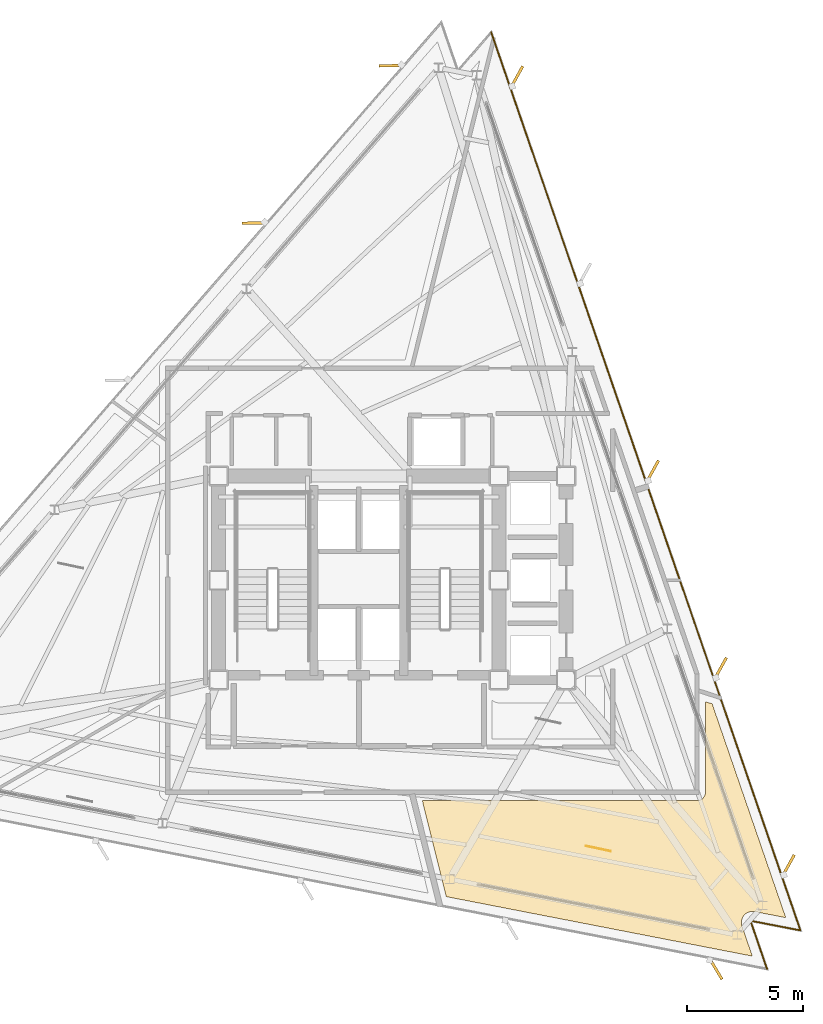
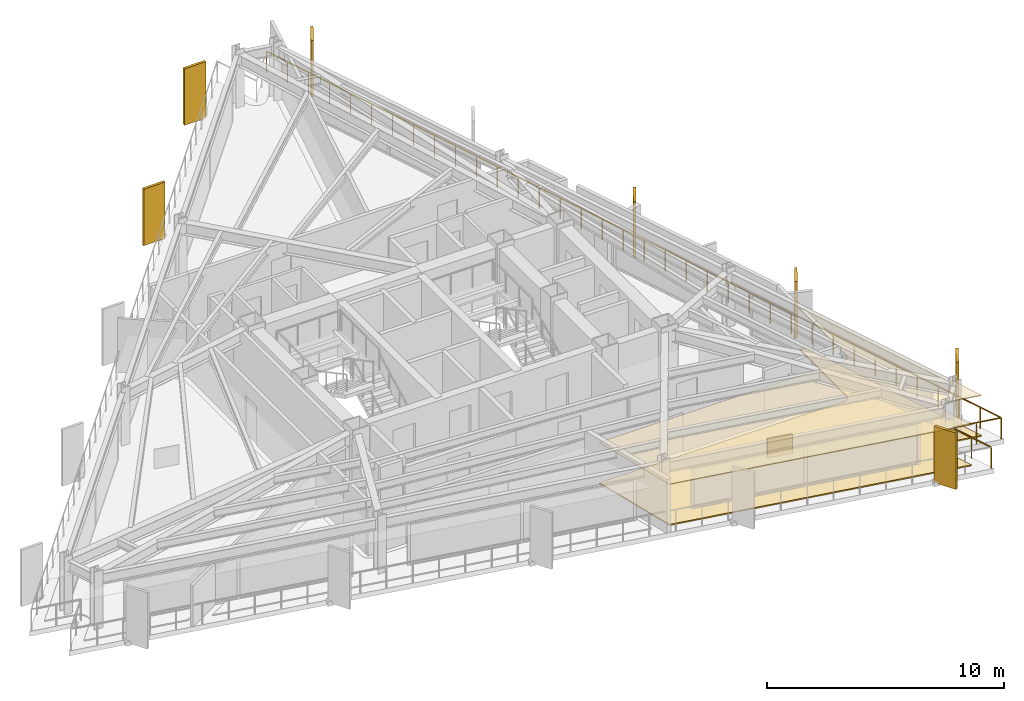
# One storey, part 13 of 13: 7 shading devices, 3 coverings, 1 railing.
"""IFC4 building model written with IfcOpenShell, lengths in metres."""

from ifc_helpers import new_model, si_unit, direction, frame, origin, origin_2d, place, context, subcontext, project, spatial, polyline, rectangle, outline, extrude, material, layer, layer_set, type_object, element, save


model = new_model("IFC4")

# Units and contexts
model_context = context("Model", 3, precision=1e-05, world=origin(), true_north=direction((0.0, 1.0)))
body_context = subcontext(model_context, "Body", "Model", "MODEL_VIEW")
ifc_project = project(units=[si_unit("LENGTHUNIT", "METRE"), si_unit("AREAUNIT", "SQUARE_METRE"), si_unit("VOLUMEUNIT", "CUBIC_METRE"), si_unit("PLANEANGLEUNIT", "RADIAN"), si_unit("MASSUNIT", "GRAM", prefix="KILO")], contexts=[model_context])

# Site, building, storey
site_placement = place(None, origin())
site = spatial("IfcSite", under=ifc_project, at=site_placement, CompositionType="ELEMENT")
building_placement = place(site_placement, origin())
building = spatial("IfcBuilding", under=site, at=building_placement, Name="Rocaltana Carrier Exchange", CompositionType="ELEMENT")
storey_placement = place(building_placement, frame((0.0, 0.0, 150.239990234375)))
storey = spatial("IfcBuildingStorey", under=building, at=storey_placement, Name="L47", CompositionType="ELEMENT", Elevation=150.239990234375)

# Coverings
ifc_material_1 = material(Name="Calcium Sulphate & Aluminium Pedestal", Category="aluminium")
ifc_layer_1 = layer(ifc_material_1, 0.06005859375)
ifc_layer_set_1 = layer_set([ifc_layer_1], Name="Calcium Sulphate & Aluminium Pedestal")
covering_type_1 = type_object("IfcCoveringType", Name="Anti-Static Raised Exchange Access Floor 60", PredefinedType="FLOORING", material=ifc_layer_set_1)
covering_1_placement = place(storey_placement, origin())
element("IfcCovering", 1, at=covering_1_placement, inside=storey, type_object=covering_type_1, Name="L47 Cloud Architecture Office Finish Floor", PredefinedType="FLOORING", context=body_context, shape_type="SweptSolid", body=[
    extrude(outline(polyline([(18.4287109375, -14.562255859375), (17.085205078125, -14.301025390625), (17.0712890625, -14.298828125), (17.051513671875, -14.2958984375), (17.023681640625, -14.29345703125), (17.00390625, -14.29248046875), (16.975830078125, -14.292724609375), (16.9560546875, -14.2939453125), (16.92822265625, -14.296875), (16.90869140625, -14.300048828125), (16.88134765625, -14.305908203125), (16.862060546875, -14.310791015625), (16.83544921875, -14.319091796875), (16.816650390625, -14.326171875), (16.791015625, -14.337158203125), (16.773193359375, -14.345947265625), (16.748779296875, -14.359619140625), (16.731689453125, -14.3701171875), (16.708984375, -14.385986328125), (16.693115234375, -14.398193359375), (16.671875, -14.416259765625), (16.6572265625, -14.429931640625), (16.637939453125, -14.449951171875), (16.625, -14.465087890625), (16.607666015625, -14.487060546875), (16.59619140625, -14.50341796875), (16.581298828125, -14.52685546875), (16.5712890625, -14.544189453125), (16.558837890625, -14.569091796875), (16.55078125, -14.58740234375), (16.540771484375, -14.613525390625), (16.534423828125, -14.63232421875), (16.527099609375, -14.6591796875), (16.522705078125, -14.6787109375), (16.518310546875, -14.706298828125), (16.515869140625, -14.72607421875), (16.513916015625, -14.75390625), (16.513671875, -14.77392578125), (16.5146484375, -14.8017578125), (16.51611328125, -14.82177734375), (16.52001953125, -14.849365234375), (16.5234375, -14.868896484375), (16.52978515625, -14.89599609375), (16.535400390625, -14.915283203125), (16.539794921875, -14.9287109375), (16.9853515625, -16.22265625), (3.775634765625, -13.65478515625), (2.7421875, -9.510009765625), (14.60009765625, -9.510009765625), (14.61376953125, -9.509765625), (14.62158203125, -9.50927734375), (14.64892578125, -9.506591796875), (14.65673828125, -9.50537109375), (14.68359375, -9.5), (14.69140625, -9.498291015625), (14.717529296875, -9.490234375), (14.724853515625, -9.487548828125), (14.750244140625, -9.47705078125), (14.75732421875, -9.4736328125), (14.78173828125, -9.460693359375), (14.788330078125, -9.456787109375), (14.811279296875, -9.44140625), (14.8173828125, -9.436767578125), (14.8388671875, -9.419189453125), (14.844482421875, -9.4140625), (14.864013671875, -9.39453125), (14.869384765625, -9.388916015625), (14.88671875, -9.367431640625), (14.891357421875, -9.361083984375), (14.90673828125, -9.33837890625), (14.91064453125, -9.331787109375), (14.923583984375, -9.307373046875), (14.927001953125, -9.30029296875), (14.9375, -9.27490234375), (14.940185546875, -9.267578125), (14.9482421875, -9.2412109375), (14.9501953125, -9.233642578125), (14.955322265625, -9.206787109375), (14.95654296875, -9.198974609375), (14.959228515625, -9.171630859375), (14.959716796875, -9.163818359375), (14.9599609375, -9.14990234375), (14.9599609375, -5.2392578125), (15.2509765625, -5.333984375), (18.4287109375, -14.562255859375)])), origin(), (0.0, 0.0, 1.0), 0.06005859375),
])
ifc_material_2 = material(Name="Mineral Fibre & Powder-Coated Aluminium", Category="aluminium")
ifc_layer_2 = layer(ifc_material_2, 0.044921875)
ifc_layer_set_2 = layer_set([ifc_layer_2], Name="Mineral Fibre & Powder-Coated Aluminium")
covering_type_2 = type_object("IfcCoveringType", Name="Micro-Perforated Acoustic Ceiling 45", PredefinedType="CEILING", material=ifc_layer_set_2)
covering_2_placement = place(storey_placement, frame((0.0, 0.0, 2.093017578125)))
element("IfcCovering", 2, at=covering_2_placement, inside=storey, type_object=covering_type_2, Name="L47 Cloud Architecture Office Acoustic Ceiling", PredefinedType="CEILING", context=body_context, shape_type="SweptSolid", body=[
    extrude(outline(polyline([(18.4287109375, -14.562255859375), (17.085205078125, -14.301025390625), (17.0712890625, -14.298828125), (17.051513671875, -14.2958984375), (17.023681640625, -14.29345703125), (17.00390625, -14.29248046875), (16.975830078125, -14.292724609375), (16.9560546875, -14.2939453125), (16.92822265625, -14.296875), (16.90869140625, -14.300048828125), (16.88134765625, -14.305908203125), (16.862060546875, -14.310791015625), (16.83544921875, -14.319091796875), (16.816650390625, -14.326171875), (16.791015625, -14.337158203125), (16.773193359375, -14.345947265625), (16.748779296875, -14.359619140625), (16.731689453125, -14.3701171875), (16.708984375, -14.385986328125), (16.693115234375, -14.398193359375), (16.671875, -14.416259765625), (16.6572265625, -14.429931640625), (16.637939453125, -14.449951171875), (16.625, -14.465087890625), (16.607666015625, -14.487060546875), (16.59619140625, -14.50341796875), (16.581298828125, -14.52685546875), (16.5712890625, -14.544189453125), (16.558837890625, -14.569091796875), (16.55078125, -14.58740234375), (16.540771484375, -14.613525390625), (16.534423828125, -14.63232421875), (16.527099609375, -14.6591796875), (16.522705078125, -14.6787109375), (16.518310546875, -14.706298828125), (16.515869140625, -14.72607421875), (16.513916015625, -14.75390625), (16.513671875, -14.77392578125), (16.5146484375, -14.8017578125), (16.51611328125, -14.82177734375), (16.52001953125, -14.849365234375), (16.5234375, -14.868896484375), (16.52978515625, -14.89599609375), (16.535400390625, -14.915283203125), (16.539794921875, -14.9287109375), (16.9853515625, -16.22265625), (3.775634765625, -13.65478515625), (2.7421875, -9.510009765625), (14.60009765625, -9.510009765625), (14.61376953125, -9.509765625), (14.62158203125, -9.50927734375), (14.64892578125, -9.506591796875), (14.65673828125, -9.50537109375), (14.68359375, -9.5), (14.69140625, -9.498291015625), (14.717529296875, -9.490234375), (14.724853515625, -9.487548828125), (14.750244140625, -9.47705078125), (14.75732421875, -9.4736328125), (14.78173828125, -9.460693359375), (14.788330078125, -9.456787109375), (14.811279296875, -9.44140625), (14.8173828125, -9.436767578125), (14.8388671875, -9.419189453125), (14.844482421875, -9.4140625), (14.864013671875, -9.39453125), (14.869384765625, -9.388916015625), (14.88671875, -9.367431640625), (14.891357421875, -9.361083984375), (14.90673828125, -9.33837890625), (14.91064453125, -9.331787109375), (14.923583984375, -9.307373046875), (14.927001953125, -9.30029296875), (14.9375, -9.27490234375), (14.940185546875, -9.267578125), (14.9482421875, -9.2412109375), (14.9501953125, -9.233642578125), (14.955322265625, -9.206787109375), (14.95654296875, -9.198974609375), (14.959228515625, -9.171630859375), (14.959716796875, -9.163818359375), (14.9599609375, -9.14990234375), (14.9599609375, -5.2392578125), (15.2509765625, -5.333984375), (18.4287109375, -14.562255859375)])), origin(), (0.0, 0.0, 1.0), 0.044921875),
])
ifc_material_3 = material(Name="Honed Piedra Muneca Sandstone", Category="masonry")
ifc_layer_3 = layer(ifc_material_3, 0.034912109375)
ifc_layer_set_3 = layer_set([ifc_layer_3], Name="Honed Piedra Muneca Sandstone")
covering_type_3 = type_object("IfcCoveringType", Name="Stone Facade Cladding 35", PredefinedType="CLADDING", material=ifc_layer_set_3)
covering_3_placement = place(storey_placement, frame((10.330810546875, -11.58251953125, 0.0), z_axis=(0.0, 0.0, 1.0), x_axis=(-0.978147600734, 0.207911690818, 0.0)))
element("IfcCovering", 3, at=covering_3_placement, inside=storey, type_object=covering_type_3, Name="L47 Stone Facade Cladding Panel 3", PredefinedType="CLADDING", context=body_context, shape_type="SweptSolid", body=[
    extrude(rectangle(XDim=1.10009765625, YDim=0.034912109375, at=origin_2d()), origin(), (0.0, 0.0, 1.0), 1.050048828125),
])

# Shading devices
ifc_material_4 = material(Name="Honed Bogota Sandstone & Concrete C45/55", Category="masonry")
ifc_layer_4 = layer(ifc_material_4, 0.1201171875)
ifc_layer_set_4 = layer_set([ifc_layer_4], Name="Honed Bogota Sandstone & Concrete C45/55")
shading_device_type = type_object("IfcShadingDeviceType", Name="Upper Sandstone Shading Fin 1050x120", PredefinedType="USERDEFINED", material=ifc_layer_set_4)
for number, where, z_axis, x_axis, name in (
    (4, (18.541748046875, -12.3095703125, -0.1201171875), (0.0, 0.0, 1.0), (0.484809620246, 0.874619707139, 0.0), "L47 Sandstone Vertical Fin F1-01"),
    (5, (15.61181640625, -3.7998046875, -0.1201171875), (0.0, 0.0, 1.0), (0.484809620246, 0.874619707139, 0.0), "L47 Sandstone Vertical Fin F1-02"),
    (6, (12.681396484375, 4.709716796875, -0.1201171875), (0.0, 0.0, 1.0), (0.484809620246, 0.874619707139, 0.0), "L47 Sandstone Vertical Fin F1-03"),
    (7, (6.8212890625, 21.729248046875, -0.1201171875), (0.0, 0.0, 1.0), (0.484809620246, 0.874619707139, 0.0), "L47 Sandstone Vertical Fin F1-05"),
    (8, (1.389404296875, 22.21240234375, -0.1201171875), (0.0, 0.0, 1.0), (-0.999847695156, -0.017452406437, 0.0), "L47 Sandstone Vertical Fin F2-01"),
    (9, (-4.51513671875, 15.419921875, -0.1201171875), (0.0, 0.0, 1.0), (-0.999847695156, -0.017452406437, 0.0), "L47 Sandstone Vertical Fin F2-02"),
    (10, (15.407470703125, -16.77197265625, -0.1201171875), (0.0, 0.0, 1.0), (0.51503807491, -0.857167300702, 0.0), "L47 Sandstone Vertical Fin F3-05"),
):
    element("IfcShadingDevice", number, at=place(storey_placement, frame(where, z_axis=z_axis, x_axis=x_axis)), inside=storey, type_object=shading_device_type, Name=name, ObjectType="FIN", PredefinedType="USERDEFINED", context=body_context, shape_type="SweptSolid", body=[
        extrude(rectangle(XDim=1.050048828125, YDim=0.1201171875, at=origin_2d()), origin(), (0.0, 0.0, 1.0), 2.907958984375),
    ])

# Railing
ifc_material_5 = material(Name="Powder-Coated Aluminium 6063-T6", Category="aluminium")
ifc_layer_5 = layer(ifc_material_5, 0.06005859375)
ifc_layer_set_5 = layer_set([ifc_layer_5], Name="Powder-Coated Aluminium 6063-T6")
railing_type = type_object("IfcRailingType", Name="Wind-Floor & Terrace Perimeter Guardrail 1100", PredefinedType="GUARDRAIL", material=ifc_layer_set_5)
railing_placement = place(storey_placement, frame((5.716796875, 23.6455078125, 0.0)))
element("IfcRailing", 11, at=railing_placement, inside=storey, type_object=railing_type, Name="L47 Perimeter Balcony Guardrail 3", PredefinedType="GUARDRAIL", context=body_context, shape_type="SweptSolid", body=[
    extrude(rectangle(XDim=0.048095703125, YDim=0.048095703125, at=origin_2d()), frame((0.0, 0.0, 1.076171875), z_axis=(0.325567757379, -0.945518712324, 0.0), x_axis=(0.945518712324, 0.325567757379, 0.0)), (0.0, 0.0, 1.0), 40.9921875),
    extrude(rectangle(XDim=0.048095703125, YDim=0.048095703125, at=origin_2d()), frame((13.345703125, -38.7587890625, 1.076171875), z_axis=(-0.981637329589, 0.190756790591, 0.0), x_axis=(-0.190756790591, -0.981637329589, 0.0)), (0.0, 0.0, 1.0), 2.199951171875),
    extrude(rectangle(XDim=0.048095703125, YDim=0.048095703125, at=origin_2d()), frame((11.18603515625, -38.339111328125, 1.076171875), z_axis=(0.325600768791, -0.945507344955, 0.0), x_axis=(0.945507344955, 0.325600768791, 0.0)), (0.0, 0.0, 1.0), 2.199951171875),
    extrude(rectangle(XDim=0.0419921875, YDim=0.0419921875, at=origin_2d()), origin(), (0.0, 0.0, 1.0), 1.052001953125),
    extrude(rectangle(XDim=0.0419921875, YDim=0.0419921875, at=origin_2d()), frame((0.38134765625, -1.107421875, 0.0)), (0.0, 0.0, 1.0), 1.052001953125),
    extrude(rectangle(XDim=0.0419921875, YDim=0.0419921875, at=origin_2d()), frame((0.7626953125, -2.21484375, 0.0)), (0.0, 0.0, 1.0), 1.052001953125),
    extrude(rectangle(XDim=0.0419921875, YDim=0.0419921875, at=origin_2d()), frame((1.143798828125, -3.322265625, 0.0)), (0.0, 0.0, 1.0), 1.052001953125),
    extrude(rectangle(XDim=0.0419921875, YDim=0.0419921875, at=origin_2d()), frame((1.525146484375, -4.4296875, 0.0)), (0.0, 0.0, 1.0), 1.052001953125),
    extrude(rectangle(XDim=0.0419921875, YDim=0.0419921875, at=origin_2d()), frame((1.906494140625, -5.536865234375, 0.0)), (0.0, 0.0, 1.0), 1.052001953125),
    extrude(rectangle(XDim=0.0419921875, YDim=0.0419921875, at=origin_2d()), frame((2.287841796875, -6.644287109375, 0.0)), (0.0, 0.0, 1.0), 1.052001953125),
    extrude(rectangle(XDim=0.0419921875, YDim=0.0419921875, at=origin_2d()), frame((2.669189453125, -7.751708984375, 0.0)), (0.0, 0.0, 1.0), 1.052001953125),
    extrude(rectangle(XDim=0.0419921875, YDim=0.0419921875, at=origin_2d()), frame((3.050537109375, -8.859130859375, 0.0)), (0.0, 0.0, 1.0), 1.052001953125),
    extrude(rectangle(XDim=0.0419921875, YDim=0.0419921875, at=origin_2d()), frame((3.431640625, -9.966552734375, 0.0)), (0.0, 0.0, 1.0), 1.052001953125),
    extrude(rectangle(XDim=0.0419921875, YDim=0.0419921875, at=origin_2d()), frame((3.81298828125, -11.073974609375, 0.0)), (0.0, 0.0, 1.0), 1.052001953125),
    extrude(rectangle(XDim=0.0419921875, YDim=0.0419921875, at=origin_2d()), frame((4.1943359375, -12.181396484375, 0.0)), (0.0, 0.0, 1.0), 1.052001953125),
    extrude(rectangle(XDim=0.0419921875, YDim=0.0419921875, at=origin_2d()), frame((4.57568359375, -13.288818359375, 0.0)), (0.0, 0.0, 1.0), 1.052001953125),
    extrude(rectangle(XDim=0.0419921875, YDim=0.0419921875, at=origin_2d()), frame((4.95703125, -14.396240234375, 0.0)), (0.0, 0.0, 1.0), 1.052001953125),
    extrude(rectangle(XDim=0.0419921875, YDim=0.0419921875, at=origin_2d()), frame((5.33837890625, -15.50341796875, 0.0)), (0.0, 0.0, 1.0), 1.052001953125),
    extrude(rectangle(XDim=0.0419921875, YDim=0.0419921875, at=origin_2d()), frame((5.719482421875, -16.61083984375, 0.0)), (0.0, 0.0, 1.0), 1.052001953125),
    extrude(rectangle(XDim=0.0419921875, YDim=0.0419921875, at=origin_2d()), frame((6.100830078125, -17.71826171875, 0.0)), (0.0, 0.0, 1.0), 1.052001953125),
    extrude(rectangle(XDim=0.0419921875, YDim=0.0419921875, at=origin_2d()), frame((6.482177734375, -18.82568359375, 0.0)), (0.0, 0.0, 1.0), 1.052001953125),
    extrude(rectangle(XDim=0.0419921875, YDim=0.0419921875, at=origin_2d()), frame((6.863525390625, -19.93310546875, 0.0)), (0.0, 0.0, 1.0), 1.052001953125),
    extrude(rectangle(XDim=0.0419921875, YDim=0.0419921875, at=origin_2d()), frame((7.244873046875, -21.04052734375, 0.0)), (0.0, 0.0, 1.0), 1.052001953125),
    extrude(rectangle(XDim=0.0419921875, YDim=0.0419921875, at=origin_2d()), frame((7.626220703125, -22.14794921875, 0.0)), (0.0, 0.0, 1.0), 1.052001953125),
    extrude(rectangle(XDim=0.0419921875, YDim=0.0419921875, at=origin_2d()), frame((8.00732421875, -23.25537109375, 0.0)), (0.0, 0.0, 1.0), 1.052001953125),
    extrude(rectangle(XDim=0.0419921875, YDim=0.0419921875, at=origin_2d()), frame((8.388671875, -24.362548828125, 0.0)), (0.0, 0.0, 1.0), 1.052001953125),
    extrude(rectangle(XDim=0.0419921875, YDim=0.0419921875, at=origin_2d()), frame((8.77001953125, -25.469970703125, 0.0)), (0.0, 0.0, 1.0), 1.052001953125),
    extrude(rectangle(XDim=0.0419921875, YDim=0.0419921875, at=origin_2d()), frame((9.1513671875, -26.577392578125, 0.0)), (0.0, 0.0, 1.0), 1.052001953125),
    extrude(rectangle(XDim=0.0419921875, YDim=0.0419921875, at=origin_2d()), frame((9.53271484375, -27.684814453125, 0.0)), (0.0, 0.0, 1.0), 1.052001953125),
    extrude(rectangle(XDim=0.0419921875, YDim=0.0419921875, at=origin_2d()), frame((9.9140625, -28.792236328125, 0.0)), (0.0, 0.0, 1.0), 1.052001953125),
    extrude(rectangle(XDim=0.0419921875, YDim=0.0419921875, at=origin_2d()), frame((10.295166015625, -29.899658203125, 0.0)), (0.0, 0.0, 1.0), 1.052001953125),
    extrude(rectangle(XDim=0.0419921875, YDim=0.0419921875, at=origin_2d()), frame((10.676513671875, -31.007080078125, 0.0)), (0.0, 0.0, 1.0), 1.052001953125),
    extrude(rectangle(XDim=0.0419921875, YDim=0.0419921875, at=origin_2d()), frame((11.057861328125, -32.114501953125, 0.0)), (0.0, 0.0, 1.0), 1.052001953125),
    extrude(rectangle(XDim=0.0419921875, YDim=0.0419921875, at=origin_2d()), frame((11.439208984375, -33.221923828125, 0.0)), (0.0, 0.0, 1.0), 1.052001953125),
    extrude(rectangle(XDim=0.0419921875, YDim=0.0419921875, at=origin_2d()), frame((11.820556640625, -34.3291015625, 0.0)), (0.0, 0.0, 1.0), 1.052001953125),
    extrude(rectangle(XDim=0.0419921875, YDim=0.0419921875, at=origin_2d()), frame((12.201904296875, -35.4365234375, 0.0)), (0.0, 0.0, 1.0), 1.052001953125),
    extrude(rectangle(XDim=0.0419921875, YDim=0.0419921875, at=origin_2d()), frame((12.5830078125, -36.5439453125, 0.0)), (0.0, 0.0, 1.0), 1.052001953125),
    extrude(rectangle(XDim=0.0419921875, YDim=0.0419921875, at=origin_2d()), frame((12.96435546875, -37.6513671875, 0.0)), (0.0, 0.0, 1.0), 1.052001953125),
    extrude(rectangle(XDim=0.0419921875, YDim=0.0419921875, at=origin_2d()), frame((13.345703125, -38.7587890625, 0.0)), (0.0, 0.0, 1.0), 1.052001953125),
    extrude(rectangle(XDim=0.0419921875, YDim=0.0419921875, at=origin_2d()), frame((12.265869140625, -38.548828125, 0.0)), (0.0, 0.0, 1.0), 1.052001953125),
    extrude(rectangle(XDim=0.0419921875, YDim=0.0419921875, at=origin_2d()), frame((11.18603515625, -38.339111328125, 0.0)), (0.0, 0.0, 1.0), 1.052001953125),
    extrude(rectangle(XDim=0.0419921875, YDim=0.0419921875, at=origin_2d()), frame((11.544189453125, -39.379150390625, 0.0)), (0.0, 0.0, 1.0), 1.052001953125),
    extrude(rectangle(XDim=0.0419921875, YDim=0.0419921875, at=origin_2d()), frame((11.90234375, -40.419189453125, 0.0)), (0.0, 0.0, 1.0), 1.052001953125),
])

save(model, "model.ifc")
